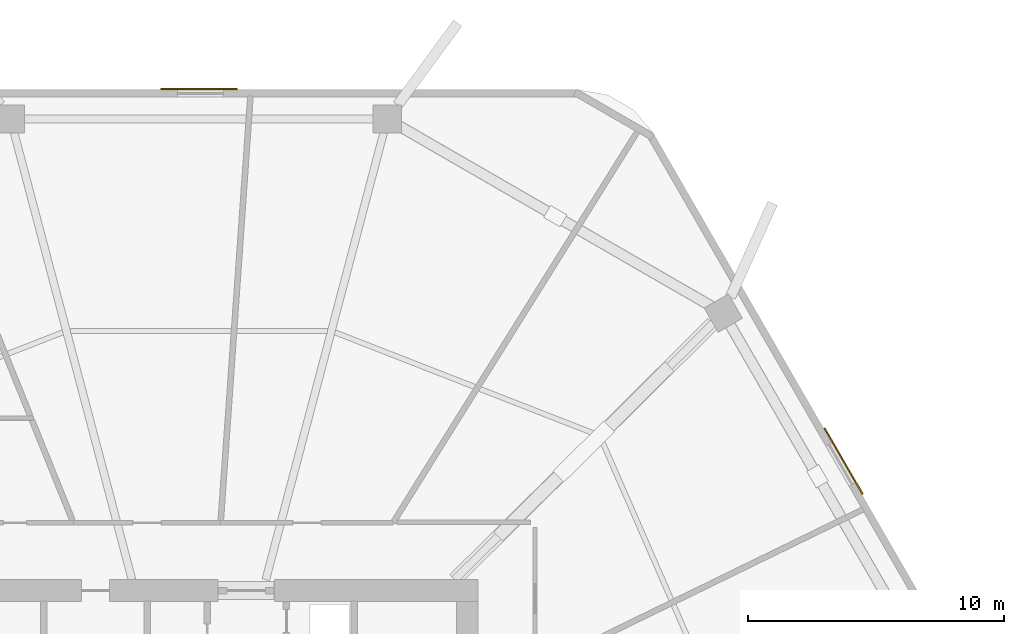
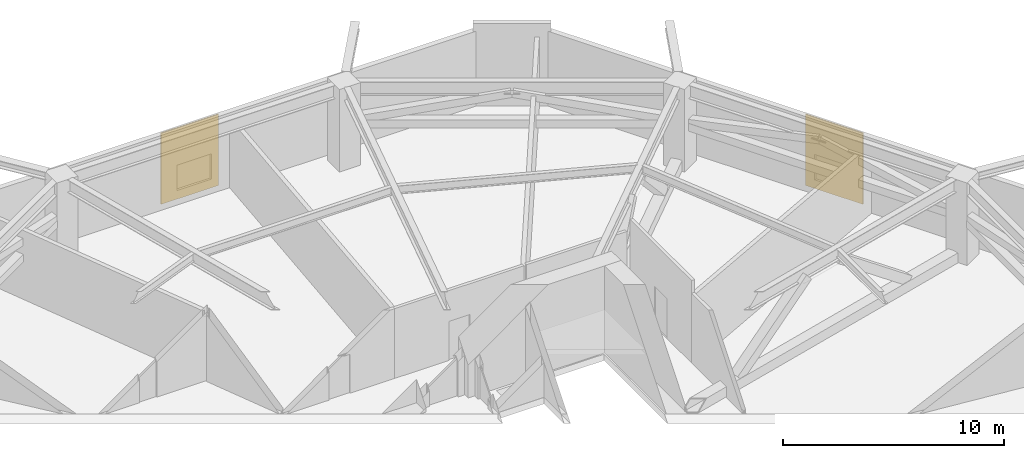
# One storey, part 10 of 10: 2 shading devices.
"""IFC4 building model written with IfcOpenShell, lengths in metres."""

from ifc_helpers import new_model, si_unit, direction, frame, origin, origin_2d, place, context, subcontext, project, spatial, rectangle, extrude, material, layer, layer_set, type_object, element, save


model = new_model("IFC4")

# Units and contexts
model_context = context("Model", 3, precision=1e-05, world=origin(), true_north=direction((0.0, 1.0)))
body_context = subcontext(model_context, "Body", "Model", "MODEL_VIEW")
ifc_project = project(units=[si_unit("LENGTHUNIT", "METRE"), si_unit("AREAUNIT", "SQUARE_METRE"), si_unit("VOLUMEUNIT", "CUBIC_METRE"), si_unit("PLANEANGLEUNIT", "RADIAN"), si_unit("MASSUNIT", "GRAM", prefix="KILO")], contexts=[model_context])

# Site, building, storey
site_placement = place(None, origin())
site = spatial("IfcSite", under=ifc_project, at=site_placement, CompositionType="ELEMENT")
building_placement = place(site_placement, origin())
building = spatial("IfcBuilding", under=site, at=building_placement, Name="Zuhravey Tower", CompositionType="ELEMENT")
storey_placement = place(building_placement, frame((0.0, 0.0, 87.60009765625)))
storey = spatial("IfcBuildingStorey", under=building, at=storey_placement, Name="L21", CompositionType="ELEMENT", Elevation=87.60009765625)

# Shading devices
ifc_material = material(Name="Bronze-anodised perforated aluminium", Category="aluminium")
ifc_layer = layer(ifc_material, 0.06005859375)
ifc_layer_set = layer_set([ifc_layer], Name="Bronze-anodised perforated aluminium")
shading_device_type = type_object("IfcShadingDeviceType", Name="Girih Mashrabiya Solar Screen", PredefinedType="USERDEFINED", material=ifc_layer_set)
for number, where, z_axis, x_axis, name in (
    (1, (36.0, 61.12841796875, 0.099609375), (0.0, 0.0, 1.0), (1.0, 0.0, 0.0), "L21 Face 2 Girih Solar Screen SCR1"),
    (2, (61.22607421875, 46.564208984375, 0.099609375), (0.0, 0.0, 1.0), (0.5, -0.866025403784, 0.0), "L21 Face 1 Girih Solar Screen SCR1"),
):
    element("IfcShadingDevice", number, at=place(storey_placement, frame(where, z_axis=z_axis, x_axis=x_axis)), inside=storey, type_object=shading_device_type, Name=name, ObjectType="SCREEN", PredefinedType="USERDEFINED", context=body_context, shape_type="SweptSolid", body=[
        extrude(rectangle(XDim=3.0, YDim=0.06005859375, at=origin_2d()), origin(), (0.0, 0.0, 1.0), 3.922119140625),
    ])

save(model, "model.ifc")
